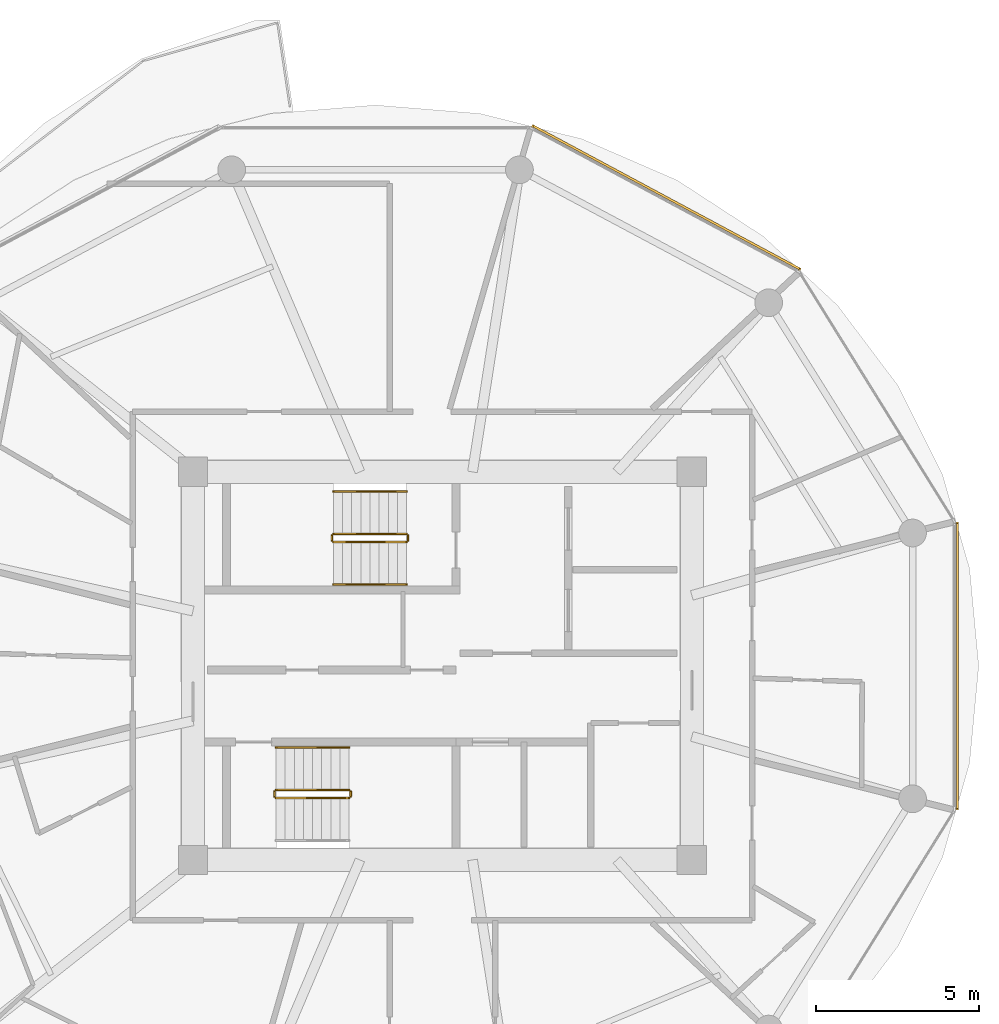
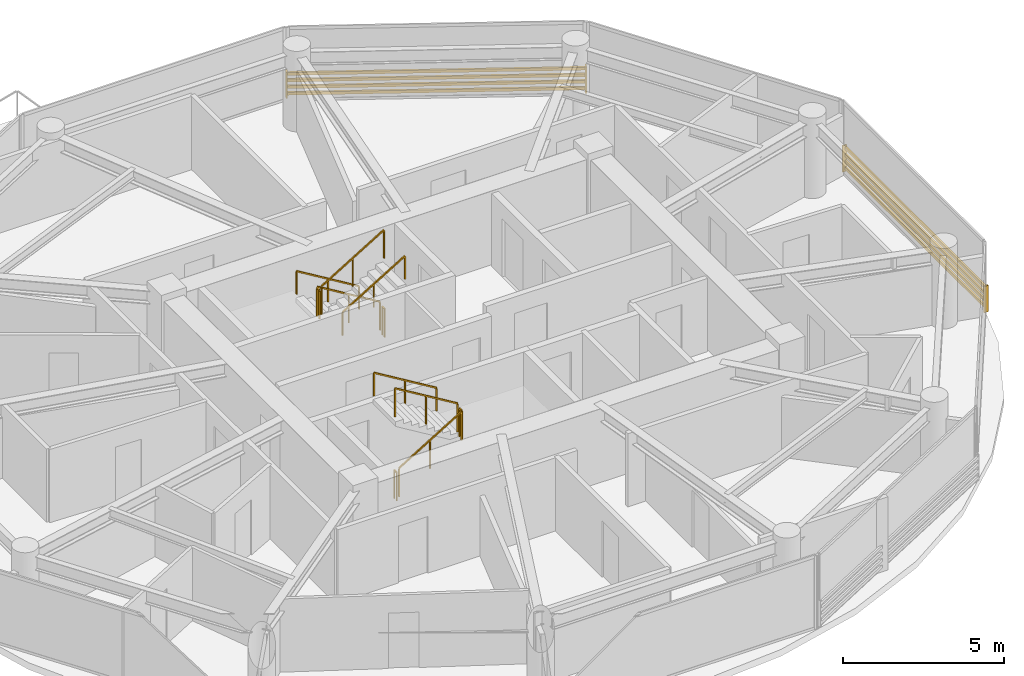
# One storey, part 22 of 22: 11 railings, 2 shading devices.
"""IFC4 building model written with IfcOpenShell, lengths in metres."""

from ifc_helpers import new_model, si_unit, direction, frame, origin, origin_2d, place, context, subcontext, project, spatial, rectangle, extrude, source, transform, mapped, material, type_object, type_shapes, element, save


model = new_model("IFC4")

# Units and contexts
model_context = context("Model", 3, precision=1e-05, world=origin(), true_north=direction((0.0, 1.0)))
body_context = subcontext(model_context, "Body", "Model", "MODEL_VIEW")
ifc_project = project(units=[si_unit("LENGTHUNIT", "METRE"), si_unit("AREAUNIT", "SQUARE_METRE"), si_unit("VOLUMEUNIT", "CUBIC_METRE"), si_unit("PLANEANGLEUNIT", "RADIAN"), si_unit("MASSUNIT", "GRAM", prefix="KILO")], contexts=[model_context])

# Site, building, storey
site_placement = place(None, origin())
site = spatial("IfcSite", under=ifc_project, at=site_placement, CompositionType="ELEMENT")
building_placement = place(site_placement, origin())
building = spatial("IfcBuilding", under=site, at=building_placement, Name="Norrkilde Senior Care Towers", CompositionType="ELEMENT")
storey_placement = place(building_placement, frame((0.0, 0.0, 120.64990234375)))
storey = spatial("IfcBuildingStorey", under=building, at=storey_placement, Name="L37", CompositionType="ELEMENT", Elevation=120.64990234375)

# Railings
ifc_material_1 = material(Name="Stainless Steel", Category="steel")
railing_type_1 = type_object("IfcRailingType", Name="Stair and Terrace Guardrail 1100", PredefinedType="GUARDRAIL", material=ifc_material_1)
railing_1_placement = place(storey_placement, frame((26.89990234375, 4.050048828125, 0.16943359375)))
element("IfcRailing", 1, at=railing_1_placement, inside=storey, type_object=railing_type_1, Name="L37 ST-E1 stair guard 1", PredefinedType="GUARDRAIL", context=body_context, shape_type="SweptSolid", body=[
    extrude(rectangle(XDim=0.048095703125, YDim=0.048095703125, at=origin_2d()), frame((0.0, 0.0, 1.076171875), z_axis=(-0.855512035549, 0.0, 0.517782924622), x_axis=(0.0, -1.0, 0.0)), (0.0, 0.0, 1.0), 2.618408203125),
    extrude(rectangle(XDim=0.0419921875, YDim=0.0419921875, at=origin_2d()), origin(), (0.0, 0.0, 1.0), 1.050048828125),
    extrude(rectangle(XDim=0.0419921875, YDim=0.0419921875, at=origin_2d()), frame((-1.1201171875, 0.0, 0.677734375)), (0.0, 0.0, 1.0), 1.050048828125),
    extrude(rectangle(XDim=0.0419921875, YDim=0.0419921875, at=origin_2d()), frame((-2.239990234375, 0.0, 1.355712890625)), (0.0, 0.0, 1.0), 1.050048828125),
])
railing_2_placement = place(storey_placement, frame((24.610107421875, 4.0, 1.525146484375)))
element("IfcRailing", 2, at=railing_2_placement, inside=storey, type_object=railing_type_1, Name="L37 ST-E1 stair guard 2", PredefinedType="GUARDRAIL", context=body_context, shape_type="SweptSolid", body=[
    extrude(rectangle(XDim=0.048095703125, YDim=0.048095703125, at=origin_2d()), frame((0.0, 0.0, 1.076171875), z_axis=(0.0, -1.0, 0.0), x_axis=(1.0, 0.0, 0.0)), (0.0, 0.0, 1.0), 0.14990234375),
    extrude(rectangle(XDim=0.0419921875, YDim=0.0419921875, at=origin_2d()), origin(), (0.0, 0.0, 1.0), 1.050048828125),
    extrude(rectangle(XDim=0.0419921875, YDim=0.0419921875, at=origin_2d()), frame((0.0, -0.14990234375, 0.0)), (0.0, 0.0, 1.0), 1.050048828125),
])
railing_3_placement = place(storey_placement, frame((24.659912109375, 3.800048828125, 1.694580078125)))
element("IfcRailing", 3, at=railing_3_placement, inside=storey, type_object=railing_type_1, Name="L37 ST-E1 stair guard 3", PredefinedType="GUARDRAIL", context=body_context, shape_type="SweptSolid", body=[
    extrude(rectangle(XDim=0.048095703125, YDim=0.048095703125, at=origin_2d()), frame((0.0, 0.0, 1.076171875), z_axis=(0.855553338991, 0.0, 0.51771467445), x_axis=(0.0, 1.0, 0.0)), (0.0, 0.0, 1.0), 2.6181640625),
    extrude(rectangle(XDim=0.0419921875, YDim=0.0419921875, at=origin_2d()), origin(), (0.0, 0.0, 1.0), 1.050048828125),
    extrude(rectangle(XDim=0.0419921875, YDim=0.0419921875, at=origin_2d()), frame((1.1201171875, 0.0, 0.677734375)), (0.0, 0.0, 1.0), 1.050048828125),
    extrude(rectangle(XDim=0.0419921875, YDim=0.0419921875, at=origin_2d()), frame((2.239990234375, 0.0, 1.35546875)), (0.0, 0.0, 1.0), 1.050048828125),
])
railing_4_placement = place(storey_placement, frame((26.949951171875, 4.0, 0.0)))
element("IfcRailing", 4, at=railing_4_placement, inside=storey, type_object=railing_type_1, Name="L37 ST-E1 stair guard 4", PredefinedType="GUARDRAIL", context=body_context, shape_type="SweptSolid", body=[
    extrude(rectangle(XDim=0.048095703125, YDim=0.048095703125, at=origin_2d()), frame((0.0, 0.0, 1.076171875), z_axis=(0.0, -1.0, 0.0), x_axis=(1.0, 0.0, 0.0)), (0.0, 0.0, 1.0), 0.14990234375),
    extrude(rectangle(XDim=0.0419921875, YDim=0.0419921875, at=origin_2d()), origin(), (0.0, 0.0, 1.0), 1.050048828125),
    extrude(rectangle(XDim=0.0419921875, YDim=0.0419921875, at=origin_2d()), frame((0.0, -0.14990234375, 0.0)), (0.0, 0.0, 1.0), 1.050048828125),
])
railing_5_placement = place(storey_placement, frame((22.89990234375, -4.050048828125, 0.16943359375)))
element("IfcRailing", 5, at=railing_5_placement, inside=storey, type_object=railing_type_1, Name="L37 ST-E2 stair guard 1", PredefinedType="GUARDRAIL", context=body_context, shape_type="SweptSolid", body=[
    extrude(rectangle(XDim=0.048095703125, YDim=0.048095703125, at=origin_2d()), frame((0.0, 0.0, 1.076171875), z_axis=(0.855512035549, 0.0, 0.517782924622), x_axis=(0.0, 1.0, 0.0)), (0.0, 0.0, 1.0), 2.618408203125),
    extrude(rectangle(XDim=0.0419921875, YDim=0.0419921875, at=origin_2d()), origin(), (0.0, 0.0, 1.0), 1.050048828125),
    extrude(rectangle(XDim=0.0419921875, YDim=0.0419921875, at=origin_2d()), frame((1.1201171875, 0.0, 0.677734375)), (0.0, 0.0, 1.0), 1.050048828125),
    extrude(rectangle(XDim=0.0419921875, YDim=0.0419921875, at=origin_2d()), frame((2.239990234375, 0.0, 1.355712890625)), (0.0, 0.0, 1.0), 1.050048828125),
])
railing_6_placement = place(storey_placement, frame((25.18994140625, -4.0, 1.525146484375)))
element("IfcRailing", 6, at=railing_6_placement, inside=storey, type_object=railing_type_1, Name="L37 ST-E2 stair guard 2", PredefinedType="GUARDRAIL", context=body_context, shape_type="SweptSolid", body=[
    extrude(rectangle(XDim=0.048095703125, YDim=0.048095703125, at=origin_2d()), frame((0.0, 0.0, 1.076171875), z_axis=(0.0, 1.0, 0.0), x_axis=(-1.0, 0.0, 0.0)), (0.0, 0.0, 1.0), 0.14990234375),
    extrude(rectangle(XDim=0.0419921875, YDim=0.0419921875, at=origin_2d()), origin(), (0.0, 0.0, 1.0), 1.050048828125),
    extrude(rectangle(XDim=0.0419921875, YDim=0.0419921875, at=origin_2d()), frame((0.0, 0.14990234375, 0.0)), (0.0, 0.0, 1.0), 1.050048828125),
])
railing_7_placement = place(storey_placement, frame((25.139892578125, -3.800048828125, 1.694580078125)))
element("IfcRailing", 7, at=railing_7_placement, inside=storey, type_object=railing_type_1, Name="L37 ST-E2 stair guard 3", PredefinedType="GUARDRAIL", context=body_context, shape_type="SweptSolid", body=[
    extrude(rectangle(XDim=0.048095703125, YDim=0.048095703125, at=origin_2d()), frame((0.0, 0.0, 1.076171875), z_axis=(-0.855553338991, 0.0, 0.51771467445), x_axis=(0.0, -1.0, 0.0)), (0.0, 0.0, 1.0), 2.6181640625),
    extrude(rectangle(XDim=0.0419921875, YDim=0.0419921875, at=origin_2d()), origin(), (0.0, 0.0, 1.0), 1.050048828125),
    extrude(rectangle(XDim=0.0419921875, YDim=0.0419921875, at=origin_2d()), frame((-1.1201171875, 0.0, 0.677734375)), (0.0, 0.0, 1.0), 1.050048828125),
    extrude(rectangle(XDim=0.0419921875, YDim=0.0419921875, at=origin_2d()), frame((-2.239990234375, 0.0, 1.35546875)), (0.0, 0.0, 1.0), 1.050048828125),
])
railing_8_placement = place(storey_placement, frame((22.85009765625, -4.0, 0.0)))
element("IfcRailing", 8, at=railing_8_placement, inside=storey, type_object=railing_type_1, Name="L37 ST-E2 stair guard 4", PredefinedType="GUARDRAIL", context=body_context, shape_type="SweptSolid", body=[
    extrude(rectangle(XDim=0.048095703125, YDim=0.048095703125, at=origin_2d()), frame((0.0, 0.0, 1.076171875), z_axis=(0.0, 1.0, 0.0), x_axis=(-1.0, 0.0, 0.0)), (0.0, 0.0, 1.0), 0.14990234375),
    extrude(rectangle(XDim=0.0419921875, YDim=0.0419921875, at=origin_2d()), origin(), (0.0, 0.0, 1.0), 1.050048828125),
    extrude(rectangle(XDim=0.0419921875, YDim=0.0419921875, at=origin_2d()), frame((0.0, 0.14990234375, 0.0)), (0.0, 0.0, 1.0), 1.050048828125),
])
ifc_material_2 = material(Name="Nordic Ash Timber", Category="wood")
railing_type_2 = type_object("IfcRailingType", Name="Wall and Stair Handrail 900", PredefinedType="HANDRAIL", material=ifc_material_2)
railing_9_placement = place(storey_placement, frame((26.89990234375, 5.35009765625, 0.16943359375)))
element("IfcRailing", 9, at=railing_9_placement, inside=storey, type_object=railing_type_2, Name="L37 ST-E1 stair handrail 1", PredefinedType="HANDRAIL", context=body_context, shape_type="SweptSolid", body=[
    extrude(rectangle(XDim=0.048095703125, YDim=0.048095703125, at=origin_2d()), frame((0.0, 0.0, 0.8759765625), z_axis=(-0.855512035549, 0.0, 0.517782924622), x_axis=(0.0, -1.0, 0.0)), (0.0, 0.0, 1.0), 2.618408203125),
    extrude(rectangle(XDim=0.0419921875, YDim=0.0419921875, at=origin_2d()), origin(), (0.0, 0.0, 1.0), 0.849853515625),
    extrude(rectangle(XDim=0.0419921875, YDim=0.0419921875, at=origin_2d()), frame((-1.1201171875, 0.0, 0.677734375)), (0.0, 0.0, 1.0), 0.849853515625),
    extrude(rectangle(XDim=0.0419921875, YDim=0.0419921875, at=origin_2d()), frame((-2.239990234375, 0.0, 1.355712890625)), (0.0, 0.0, 1.0), 0.849853515625),
])
railing_10_placement = place(storey_placement, frame((24.659912109375, 2.5, 1.694580078125)))
element("IfcRailing", 10, at=railing_10_placement, inside=storey, type_object=railing_type_2, Name="L37 ST-E1 stair handrail 2", PredefinedType="HANDRAIL", context=body_context, shape_type="SweptSolid", body=[
    extrude(rectangle(XDim=0.048095703125, YDim=0.048095703125, at=origin_2d()), frame((0.0, 0.0, 0.8759765625), z_axis=(0.855553338991, 0.0, 0.51771467445), x_axis=(0.0, 1.0, 0.0)), (0.0, 0.0, 1.0), 2.6181640625),
    extrude(rectangle(XDim=0.0419921875, YDim=0.0419921875, at=origin_2d()), origin(), (0.0, 0.0, 1.0), 0.849853515625),
    extrude(rectangle(XDim=0.0419921875, YDim=0.0419921875, at=origin_2d()), frame((1.1201171875, 0.0, 0.677734375)), (0.0, 0.0, 1.0), 0.849853515625),
    extrude(rectangle(XDim=0.0419921875, YDim=0.0419921875, at=origin_2d()), frame((2.239990234375, 0.0, 1.35546875)), (0.0, 0.0, 1.0), 0.849853515625),
])
railing_11_placement = place(storey_placement, frame((25.139892578125, -2.5, 1.694580078125)))
element("IfcRailing", 11, at=railing_11_placement, inside=storey, type_object=railing_type_2, Name="L37 ST-E2 stair handrail 2", PredefinedType="HANDRAIL", context=body_context, shape_type="SweptSolid", body=[
    extrude(rectangle(XDim=0.048095703125, YDim=0.048095703125, at=origin_2d()), frame((0.0, 0.0, 0.8759765625), z_axis=(-0.855553338991, 0.0, 0.51771467445), x_axis=(0.0, -1.0, 0.0)), (0.0, 0.0, 1.0), 2.6181640625),
    extrude(rectangle(XDim=0.0419921875, YDim=0.0419921875, at=origin_2d()), origin(), (0.0, 0.0, 1.0), 0.849853515625),
    extrude(rectangle(XDim=0.0419921875, YDim=0.0419921875, at=origin_2d()), frame((-1.1201171875, 0.0, 0.677734375)), (0.0, 0.0, 1.0), 0.849853515625),
    extrude(rectangle(XDim=0.0419921875, YDim=0.0419921875, at=origin_2d()), frame((-2.239990234375, 0.0, 1.35546875)), (0.0, 0.0, 1.0), 0.849853515625),
])

# Shading devices
ifc_material_3 = material(Name="Architectural Terracotta", Category="masonry")
shading_device_type = type_object("IfcShadingDeviceType", Name="Horizontal Terracotta Baguette Rack", PredefinedType="USERDEFINED", material=ifc_material_3)
shared_shape_1 = source(origin(), body_context, "Body", "SweptSolid", [
    extrude(rectangle(XDim=0.070068359375, YDim=0.110107421875, at=origin_2d()), frame((0.0, 0.090087890625, 0.125), z_axis=(1.0, 0.0, 0.0), x_axis=(0.0, 1.0, 0.0)), (0.0, 0.0, 1.0), 9.3505859375),
    extrude(rectangle(XDim=0.070068359375, YDim=0.110107421875, at=origin_2d()), frame((0.0, 0.090087890625, 0.375), z_axis=(1.0, 0.0, 0.0), x_axis=(0.0, 1.0, 0.0)), (0.0, 0.0, 1.0), 9.3505859375),
    extrude(rectangle(XDim=0.070068359375, YDim=0.110107421875, at=origin_2d()), frame((0.0, 0.090087890625, 0.625), z_axis=(1.0, 0.0, 0.0), x_axis=(0.0, 1.0, 0.0)), (0.0, 0.0, 1.0), 9.3505859375),
    extrude(rectangle(XDim=0.070068359375, YDim=0.110107421875, at=origin_2d()), frame((0.0, 0.090087890625, 0.875), z_axis=(1.0, 0.0, 0.0), x_axis=(0.0, 1.0, 0.0)), (0.0, 0.0, 1.0), 9.3505859375),
    extrude(rectangle(XDim=0.050048828125, YDim=0.1552734375, at=origin_2d()), frame((0.02490234375, 0.047607421875, 0.0)), (0.0, 0.0, 1.0), 1.0),
    extrude(rectangle(XDim=0.050048828125, YDim=0.1552734375, at=origin_2d()), frame((9.32568359375, 0.047607421875, 0.0)), (0.0, 0.0, 1.0), 1.0),
])
shading_device_1_placement = place(storey_placement, frame((30.70703125, 16.498046875, 0.080078125), z_axis=(0.0, 0.0, 1.0), x_axis=(0.881174934726, -0.472767624021, 0.0)))
element("IfcShadingDevice", 12, at=shading_device_1_placement, inside=storey, type_object=shading_device_type, Name="L37 Drum E Terracotta Baguette Screen 01", ObjectType="BAGUETTE", PredefinedType="USERDEFINED", context=body_context, shape_type="MappedRepresentation", body=[
    mapped(shared_shape_1, transform((0.0, 0.0, 0.0), x_axis=(1.0, 0.0, 0.0), y_axis=(0.0, 1.0, 0.0), z_axis=(0.0, 0.0, 1.0), scale=1.0)),
])
shared_shape_2 = source(origin(), body_context, "Body", "SweptSolid", [
    extrude(rectangle(XDim=0.070068359375, YDim=0.110107421875, at=origin_2d()), frame((0.0, 0.090087890625, 0.125), z_axis=(1.0, 0.0, 0.0), x_axis=(0.0, 1.0, 0.0)), (0.0, 0.0, 1.0), 8.84130859375),
    extrude(rectangle(XDim=0.070068359375, YDim=0.110107421875, at=origin_2d()), frame((0.0, 0.090087890625, 0.375), z_axis=(1.0, 0.0, 0.0), x_axis=(0.0, 1.0, 0.0)), (0.0, 0.0, 1.0), 8.84130859375),
    extrude(rectangle(XDim=0.070068359375, YDim=0.110107421875, at=origin_2d()), frame((0.0, 0.090087890625, 0.625), z_axis=(1.0, 0.0, 0.0), x_axis=(0.0, 1.0, 0.0)), (0.0, 0.0, 1.0), 8.84130859375),
    extrude(rectangle(XDim=0.070068359375, YDim=0.110107421875, at=origin_2d()), frame((0.0, 0.090087890625, 0.875), z_axis=(1.0, 0.0, 0.0), x_axis=(0.0, 1.0, 0.0)), (0.0, 0.0, 1.0), 8.84130859375),
    extrude(rectangle(XDim=0.050048828125, YDim=0.1552734375, at=origin_2d()), frame((0.02490234375, 0.047607421875, 0.0)), (0.0, 0.0, 1.0), 1.0),
    extrude(rectangle(XDim=0.050048828125, YDim=0.1552734375, at=origin_2d()), frame((8.81640625, 0.047607421875, 0.0)), (0.0, 0.0, 1.0), 1.0),
])
type_shapes(shading_device_type, [shared_shape_1, shared_shape_2])
shading_device_2_placement = place(storey_placement, frame((43.70361328125, 4.420654296875, 0.080078125), z_axis=(0.0, 0.0, 1.0), x_axis=(0.0, -1.0, 0.0)))
element("IfcShadingDevice", 13, at=shading_device_2_placement, inside=storey, type_object=shading_device_type, Name="L37 Drum E Terracotta Baguette Screen 11", ObjectType="BAGUETTE", PredefinedType="USERDEFINED", context=body_context, shape_type="MappedRepresentation", body=[
    mapped(shared_shape_2, transform((0.0, 0.0, 0.0), x_axis=(1.0, 0.0, 0.0), y_axis=(0.0, 1.0, 0.0), z_axis=(0.0, 0.0, 1.0), scale=1.0)),
])

save(model, "model.ifc")
